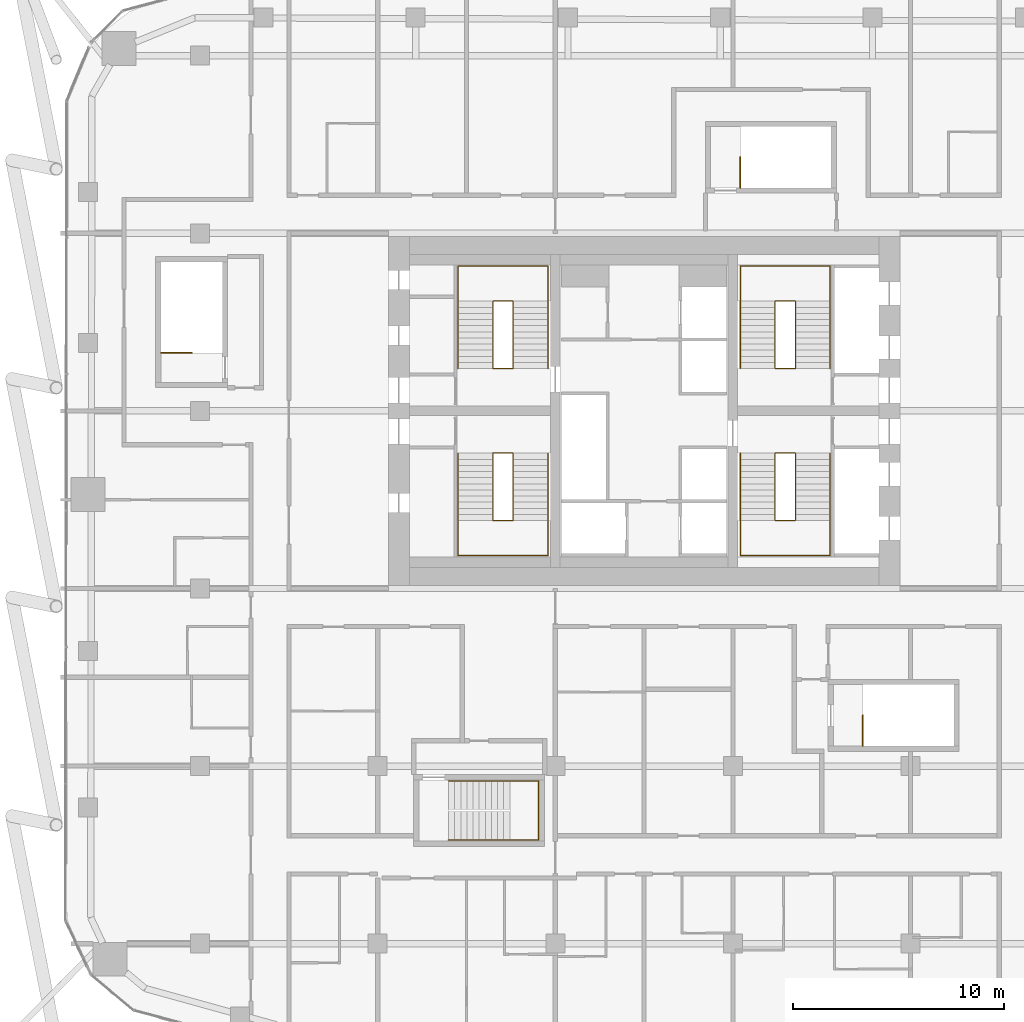
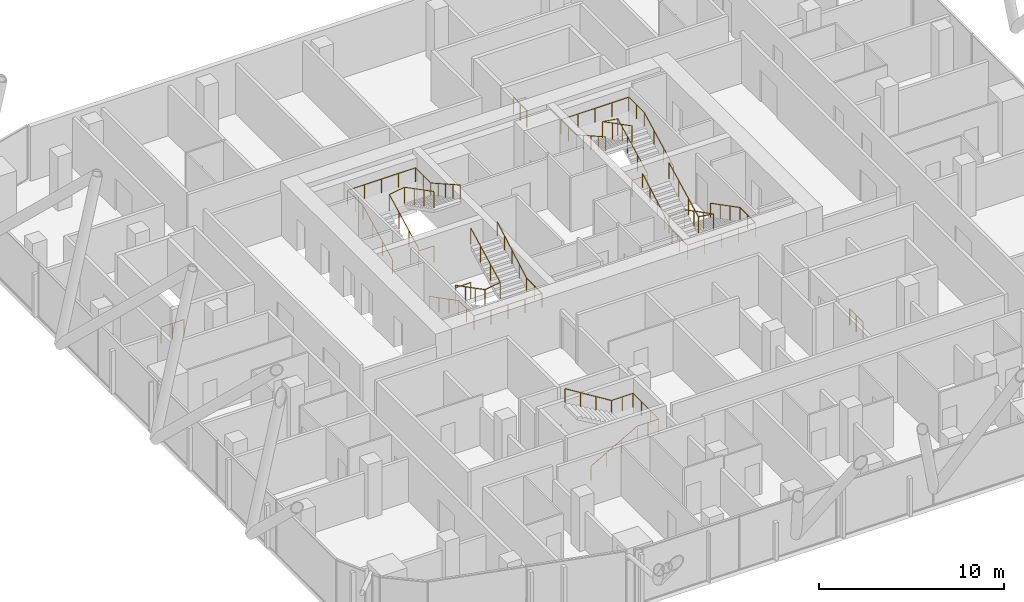
# One storey, part 34 of 34: 12 railings.
"""IFC4 building model written with IfcOpenShell, lengths in metres."""

from ifc_helpers import new_model, si_unit, direction, frame, origin, origin_2d, place, context, subcontext, project, spatial, circle, extrude, material, type_object, element, save


model = new_model("IFC4")

# Units and contexts
model_context = context("Model", 3, precision=1e-05, world=origin(), true_north=direction((0.0, 1.0)))
body_context = subcontext(model_context, "Body", "Model", "MODEL_VIEW")
ifc_project = project(units=[si_unit("LENGTHUNIT", "METRE"), si_unit("AREAUNIT", "SQUARE_METRE"), si_unit("VOLUMEUNIT", "CUBIC_METRE"), si_unit("PLANEANGLEUNIT", "RADIAN"), si_unit("MASSUNIT", "GRAM", prefix="KILO")], contexts=[model_context])

# Site, building, storey
site_placement = place(None, origin())
site = spatial("IfcSite", under=ifc_project, at=site_placement, CompositionType="ELEMENT")
building_placement = place(site_placement, origin())
building = spatial("IfcBuilding", under=site, at=building_placement, Name="Marenta Gate Hotel Tower", CompositionType="ELEMENT")
storey_placement = place(building_placement, frame((0.0, 0.0, 166.10009765625)))
storey = spatial("IfcBuildingStorey", under=building, at=storey_placement, Name="L39", CompositionType="ELEMENT", Elevation=166.10009765625)

# Railings
ifc_material_1 = material(Name="Stainless steel", Category="steel")
railing_type_1 = type_object("IfcRailingType", Name="Core stair handrail 950", PredefinedType="HANDRAIL", material=ifc_material_1)
railing_1_placement = place(storey_placement, frame((-8.800048828125, 6.39990234375, 0.14990234375)))
element("IfcRailing", 1, at=railing_1_placement, inside=storey, type_object=railing_type_1, Name="HR-950 L39-KR-ST1-1", PredefinedType="HANDRAIL", context=body_context, shape_type="SweptSolid", body=[
    extrude(circle(Radius=0.02392578125, at=origin_2d()), frame((0.0, 0.0, 0.92578125), z_axis=(0.0, -0.888225295554, 0.459408123936), x_axis=(1.0, 0.0, 0.0)), (0.0, 0.0, 1.0), 3.59130859375),
    extrude(circle(Radius=0.02392578125, at=origin_2d()), frame((0.0, -3.18994140625, 2.57568359375), z_axis=(0.0, -1.0, 0.0), x_axis=(1.0, 0.0, 0.0)), (0.0, 0.0, 1.0), 1.659912109375),
    extrude(circle(Radius=0.02392578125, at=origin_2d()), frame((0.0, -4.849853515625, 2.57568359375), z_axis=(1.0, 0.0, 0.0), x_axis=(0.0, 1.0, 0.0)), (0.0, 0.0, 1.0), 4.25),
    extrude(circle(Radius=0.02392578125, at=origin_2d()), frame((4.25, -4.849853515625, 2.57568359375), z_axis=(0.0, 1.0, 0.0), x_axis=(-1.0, 0.0, 0.0)), (0.0, 0.0, 1.0), 1.659912109375),
    extrude(circle(Radius=0.02392578125, at=origin_2d()), frame((4.25, -3.18994140625, 2.57568359375), z_axis=(0.0, 0.87090897868, 0.491444351738), x_axis=(-1.0, 0.0, 0.0)), (0.0, 0.0, 1.0), 3.662841796875),
    extrude(circle(Radius=0.02099609375, at=origin_2d()), origin(), (0.0, 0.0, 1.0), 0.90185546875),
    extrude(circle(Radius=0.02099609375, at=origin_2d()), frame((0.0, -1.063232421875, 0.550048828125)), (0.0, 0.0, 1.0), 0.90185546875),
    extrude(circle(Radius=0.02099609375, at=origin_2d()), frame((0.0, -2.126708984375, 1.099853515625)), (0.0, 0.0, 1.0), 0.90185546875),
    extrude(circle(Radius=0.02099609375, at=origin_2d()), frame((0.0, -3.18994140625, 1.64990234375)), (0.0, 0.0, 1.0), 0.90185546875),
    extrude(circle(Radius=0.02099609375, at=origin_2d()), frame((0.0, -4.02001953125, 1.64990234375)), (0.0, 0.0, 1.0), 0.90185546875),
    extrude(circle(Radius=0.02099609375, at=origin_2d()), frame((0.0, -4.849853515625, 1.64990234375)), (0.0, 0.0, 1.0), 0.90185546875),
    extrude(circle(Radius=0.02099609375, at=origin_2d()), frame((1.0625, -4.849853515625, 1.64990234375)), (0.0, 0.0, 1.0), 0.90185546875),
    extrude(circle(Radius=0.02099609375, at=origin_2d()), frame((2.125, -4.849853515625, 1.64990234375)), (0.0, 0.0, 1.0), 0.90185546875),
    extrude(circle(Radius=0.02099609375, at=origin_2d()), frame((3.1875, -4.849853515625, 1.64990234375)), (0.0, 0.0, 1.0), 0.90185546875),
    extrude(circle(Radius=0.02099609375, at=origin_2d()), frame((4.25, -4.849853515625, 1.64990234375)), (0.0, 0.0, 1.0), 0.90185546875),
    extrude(circle(Radius=0.02099609375, at=origin_2d()), frame((4.25, -4.02001953125, 1.64990234375)), (0.0, 0.0, 1.0), 0.90185546875),
    extrude(circle(Radius=0.02099609375, at=origin_2d()), frame((4.25, -3.18994140625, 1.64990234375)), (0.0, 0.0, 1.0), 0.90185546875),
    extrude(circle(Radius=0.02099609375, at=origin_2d()), frame((4.25, -2.392578125, 2.099853515625)), (0.0, 0.0, 1.0), 0.90185546875),
    extrude(circle(Radius=0.02099609375, at=origin_2d()), frame((4.25, -1.594970703125, 2.5498046875)), (0.0, 0.0, 1.0), 0.90185546875),
    extrude(circle(Radius=0.02099609375, at=origin_2d()), frame((4.25, -0.79736328125, 3.0)), (0.0, 0.0, 1.0), 0.90185546875),
    extrude(circle(Radius=0.02099609375, at=origin_2d()), frame((4.25, 0.0, 3.449951171875)), (0.0, 0.0, 1.0), 0.90185546875),
])
railing_2_placement = place(storey_placement, frame((-8.800048828125, 10.39990234375, 0.14990234375)))
element("IfcRailing", 2, at=railing_2_placement, inside=storey, type_object=railing_type_1, Name="HR-950 L39-KR-ST2-1", PredefinedType="HANDRAIL", context=body_context, shape_type="SweptSolid", body=[
    extrude(circle(Radius=0.02392578125, at=origin_2d()), frame((0.0, 0.0, 0.92578125), z_axis=(0.0, 0.888239641807, 0.459380385653), x_axis=(-1.0, 0.0, 0.0)), (0.0, 0.0, 1.0), 3.591552734375),
    extrude(circle(Radius=0.02392578125, at=origin_2d()), frame((0.0, 3.190185546875, 2.57568359375), z_axis=(0.0, 1.0, 0.0), x_axis=(-1.0, 0.0, 0.0)), (0.0, 0.0, 1.0), 1.659912109375),
    extrude(circle(Radius=0.02392578125, at=origin_2d()), frame((0.0, 4.85009765625, 2.57568359375), z_axis=(1.0, 0.0, 0.0), x_axis=(0.0, 1.0, 0.0)), (0.0, 0.0, 1.0), 4.25),
    extrude(circle(Radius=0.02392578125, at=origin_2d()), frame((4.25, 4.85009765625, 2.57568359375), z_axis=(0.0, -1.0, 0.0), x_axis=(1.0, 0.0, 0.0)), (0.0, 0.0, 1.0), 1.659912109375),
    extrude(circle(Radius=0.02392578125, at=origin_2d()), frame((4.25, 3.190185546875, 2.57568359375), z_axis=(0.0, -0.870925075533, 0.491415824742), x_axis=(1.0, 0.0, 0.0)), (0.0, 0.0, 1.0), 3.6630859375),
    extrude(circle(Radius=0.02099609375, at=origin_2d()), origin(), (0.0, 0.0, 1.0), 0.90185546875),
    extrude(circle(Radius=0.02099609375, at=origin_2d()), frame((0.0, 1.0634765625, 0.550048828125)), (0.0, 0.0, 1.0), 0.90185546875),
    extrude(circle(Radius=0.02099609375, at=origin_2d()), frame((0.0, 2.126708984375, 1.099853515625)), (0.0, 0.0, 1.0), 0.90185546875),
    extrude(circle(Radius=0.02099609375, at=origin_2d()), frame((0.0, 3.190185546875, 1.64990234375)), (0.0, 0.0, 1.0), 0.90185546875),
    extrude(circle(Radius=0.02099609375, at=origin_2d()), frame((0.0, 4.02001953125, 1.64990234375)), (0.0, 0.0, 1.0), 0.90185546875),
    extrude(circle(Radius=0.02099609375, at=origin_2d()), frame((0.0, 4.85009765625, 1.64990234375)), (0.0, 0.0, 1.0), 0.90185546875),
    extrude(circle(Radius=0.02099609375, at=origin_2d()), frame((1.0625, 4.85009765625, 1.64990234375)), (0.0, 0.0, 1.0), 0.90185546875),
    extrude(circle(Radius=0.02099609375, at=origin_2d()), frame((2.125, 4.85009765625, 1.64990234375)), (0.0, 0.0, 1.0), 0.90185546875),
    extrude(circle(Radius=0.02099609375, at=origin_2d()), frame((3.1875, 4.85009765625, 1.64990234375)), (0.0, 0.0, 1.0), 0.90185546875),
    extrude(circle(Radius=0.02099609375, at=origin_2d()), frame((4.25, 4.85009765625, 1.64990234375)), (0.0, 0.0, 1.0), 0.90185546875),
    extrude(circle(Radius=0.02099609375, at=origin_2d()), frame((4.25, 4.02001953125, 1.64990234375)), (0.0, 0.0, 1.0), 0.90185546875),
    extrude(circle(Radius=0.02099609375, at=origin_2d()), frame((4.25, 3.190185546875, 1.64990234375)), (0.0, 0.0, 1.0), 0.90185546875),
    extrude(circle(Radius=0.02099609375, at=origin_2d()), frame((4.25, 2.392578125, 2.099853515625)), (0.0, 0.0, 1.0), 0.90185546875),
    extrude(circle(Radius=0.02099609375, at=origin_2d()), frame((4.25, 1.59521484375, 2.5498046875)), (0.0, 0.0, 1.0), 0.90185546875),
    extrude(circle(Radius=0.02099609375, at=origin_2d()), frame((4.25, 0.797607421875, 3.0)), (0.0, 0.0, 1.0), 0.90185546875),
    extrude(circle(Radius=0.02099609375, at=origin_2d()), frame((4.25, 0.0, 3.449951171875)), (0.0, 0.0, 1.0), 0.90185546875),
])
railing_3_placement = place(storey_placement, frame((8.800048828125, 6.39990234375, 0.14990234375)))
element("IfcRailing", 3, at=railing_3_placement, inside=storey, type_object=railing_type_1, Name="HR-950 L39-KR-ST3-1", PredefinedType="HANDRAIL", context=body_context, shape_type="SweptSolid", body=[
    extrude(circle(Radius=0.02392578125, at=origin_2d()), frame((0.0, 0.0, 0.92578125), z_axis=(0.0, -0.888225295554, 0.459408123936), x_axis=(1.0, 0.0, 0.0)), (0.0, 0.0, 1.0), 3.59130859375),
    extrude(circle(Radius=0.02392578125, at=origin_2d()), frame((0.0, -3.18994140625, 2.57568359375), z_axis=(0.0, -1.0, 0.0), x_axis=(1.0, 0.0, 0.0)), (0.0, 0.0, 1.0), 1.659912109375),
    extrude(circle(Radius=0.02392578125, at=origin_2d()), frame((0.0, -4.849853515625, 2.57568359375), z_axis=(-1.0, 0.0, 0.0), x_axis=(0.0, -1.0, 0.0)), (0.0, 0.0, 1.0), 4.25),
    extrude(circle(Radius=0.02392578125, at=origin_2d()), frame((-4.25, -4.849853515625, 2.57568359375), z_axis=(0.0, 1.0, 0.0), x_axis=(-1.0, 0.0, 0.0)), (0.0, 0.0, 1.0), 1.659912109375),
    extrude(circle(Radius=0.02392578125, at=origin_2d()), frame((-4.25, -3.18994140625, 2.57568359375), z_axis=(0.0, 0.87090897868, 0.491444351738), x_axis=(-1.0, 0.0, 0.0)), (0.0, 0.0, 1.0), 3.662841796875),
    extrude(circle(Radius=0.02099609375, at=origin_2d()), origin(), (0.0, 0.0, 1.0), 0.90185546875),
    extrude(circle(Radius=0.02099609375, at=origin_2d()), frame((0.0, -1.063232421875, 0.550048828125)), (0.0, 0.0, 1.0), 0.90185546875),
    extrude(circle(Radius=0.02099609375, at=origin_2d()), frame((0.0, -2.126708984375, 1.099853515625)), (0.0, 0.0, 1.0), 0.90185546875),
    extrude(circle(Radius=0.02099609375, at=origin_2d()), frame((0.0, -3.18994140625, 1.64990234375)), (0.0, 0.0, 1.0), 0.90185546875),
    extrude(circle(Radius=0.02099609375, at=origin_2d()), frame((0.0, -4.02001953125, 1.64990234375)), (0.0, 0.0, 1.0), 0.90185546875),
    extrude(circle(Radius=0.02099609375, at=origin_2d()), frame((0.0, -4.849853515625, 1.64990234375)), (0.0, 0.0, 1.0), 0.90185546875),
    extrude(circle(Radius=0.02099609375, at=origin_2d()), frame((-1.0625, -4.849853515625, 1.64990234375)), (0.0, 0.0, 1.0), 0.90185546875),
    extrude(circle(Radius=0.02099609375, at=origin_2d()), frame((-2.125, -4.849853515625, 1.64990234375)), (0.0, 0.0, 1.0), 0.90185546875),
    extrude(circle(Radius=0.02099609375, at=origin_2d()), frame((-3.1875, -4.849853515625, 1.64990234375)), (0.0, 0.0, 1.0), 0.90185546875),
    extrude(circle(Radius=0.02099609375, at=origin_2d()), frame((-4.25, -4.849853515625, 1.64990234375)), (0.0, 0.0, 1.0), 0.90185546875),
    extrude(circle(Radius=0.02099609375, at=origin_2d()), frame((-4.25, -4.02001953125, 1.64990234375)), (0.0, 0.0, 1.0), 0.90185546875),
    extrude(circle(Radius=0.02099609375, at=origin_2d()), frame((-4.25, -3.18994140625, 1.64990234375)), (0.0, 0.0, 1.0), 0.90185546875),
    extrude(circle(Radius=0.02099609375, at=origin_2d()), frame((-4.25, -2.392578125, 2.099853515625)), (0.0, 0.0, 1.0), 0.90185546875),
    extrude(circle(Radius=0.02099609375, at=origin_2d()), frame((-4.25, -1.594970703125, 2.5498046875)), (0.0, 0.0, 1.0), 0.90185546875),
    extrude(circle(Radius=0.02099609375, at=origin_2d()), frame((-4.25, -0.79736328125, 3.0)), (0.0, 0.0, 1.0), 0.90185546875),
    extrude(circle(Radius=0.02099609375, at=origin_2d()), frame((-4.25, 0.0, 3.449951171875)), (0.0, 0.0, 1.0), 0.90185546875),
])
railing_4_placement = place(storey_placement, frame((8.800048828125, 10.39990234375, 0.14990234375)))
element("IfcRailing", 4, at=railing_4_placement, inside=storey, type_object=railing_type_1, Name="HR-950 L39-KR-ST4-1", PredefinedType="HANDRAIL", context=body_context, shape_type="SweptSolid", body=[
    extrude(circle(Radius=0.02392578125, at=origin_2d()), frame((0.0, 0.0, 0.92578125), z_axis=(0.0, 0.888239641807, 0.459380385653), x_axis=(-1.0, 0.0, 0.0)), (0.0, 0.0, 1.0), 3.591552734375),
    extrude(circle(Radius=0.02392578125, at=origin_2d()), frame((0.0, 3.190185546875, 2.57568359375), z_axis=(0.0, 1.0, 0.0), x_axis=(-1.0, 0.0, 0.0)), (0.0, 0.0, 1.0), 1.659912109375),
    extrude(circle(Radius=0.02392578125, at=origin_2d()), frame((0.0, 4.85009765625, 2.57568359375), z_axis=(-1.0, 0.0, 0.0), x_axis=(0.0, -1.0, 0.0)), (0.0, 0.0, 1.0), 4.25),
    extrude(circle(Radius=0.02392578125, at=origin_2d()), frame((-4.25, 4.85009765625, 2.57568359375), z_axis=(0.0, -1.0, 0.0), x_axis=(1.0, 0.0, 0.0)), (0.0, 0.0, 1.0), 1.659912109375),
    extrude(circle(Radius=0.02392578125, at=origin_2d()), frame((-4.25, 3.190185546875, 2.57568359375), z_axis=(0.0, -0.870925075533, 0.491415824742), x_axis=(1.0, 0.0, 0.0)), (0.0, 0.0, 1.0), 3.6630859375),
    extrude(circle(Radius=0.02099609375, at=origin_2d()), origin(), (0.0, 0.0, 1.0), 0.90185546875),
    extrude(circle(Radius=0.02099609375, at=origin_2d()), frame((0.0, 1.0634765625, 0.550048828125)), (0.0, 0.0, 1.0), 0.90185546875),
    extrude(circle(Radius=0.02099609375, at=origin_2d()), frame((0.0, 2.126708984375, 1.099853515625)), (0.0, 0.0, 1.0), 0.90185546875),
    extrude(circle(Radius=0.02099609375, at=origin_2d()), frame((0.0, 3.190185546875, 1.64990234375)), (0.0, 0.0, 1.0), 0.90185546875),
    extrude(circle(Radius=0.02099609375, at=origin_2d()), frame((0.0, 4.02001953125, 1.64990234375)), (0.0, 0.0, 1.0), 0.90185546875),
    extrude(circle(Radius=0.02099609375, at=origin_2d()), frame((0.0, 4.85009765625, 1.64990234375)), (0.0, 0.0, 1.0), 0.90185546875),
    extrude(circle(Radius=0.02099609375, at=origin_2d()), frame((-1.0625, 4.85009765625, 1.64990234375)), (0.0, 0.0, 1.0), 0.90185546875),
    extrude(circle(Radius=0.02099609375, at=origin_2d()), frame((-2.125, 4.85009765625, 1.64990234375)), (0.0, 0.0, 1.0), 0.90185546875),
    extrude(circle(Radius=0.02099609375, at=origin_2d()), frame((-3.1875, 4.85009765625, 1.64990234375)), (0.0, 0.0, 1.0), 0.90185546875),
    extrude(circle(Radius=0.02099609375, at=origin_2d()), frame((-4.25, 4.85009765625, 1.64990234375)), (0.0, 0.0, 1.0), 0.90185546875),
    extrude(circle(Radius=0.02099609375, at=origin_2d()), frame((-4.25, 4.02001953125, 1.64990234375)), (0.0, 0.0, 1.0), 0.90185546875),
    extrude(circle(Radius=0.02099609375, at=origin_2d()), frame((-4.25, 3.190185546875, 1.64990234375)), (0.0, 0.0, 1.0), 0.90185546875),
    extrude(circle(Radius=0.02099609375, at=origin_2d()), frame((-4.25, 2.392578125, 2.099853515625)), (0.0, 0.0, 1.0), 0.90185546875),
    extrude(circle(Radius=0.02099609375, at=origin_2d()), frame((-4.25, 1.59521484375, 2.5498046875)), (0.0, 0.0, 1.0), 0.90185546875),
    extrude(circle(Radius=0.02099609375, at=origin_2d()), frame((-4.25, 0.797607421875, 3.0)), (0.0, 0.0, 1.0), 0.90185546875),
    extrude(circle(Radius=0.02099609375, at=origin_2d()), frame((-4.25, 0.0, 3.449951171875)), (0.0, 0.0, 1.0), 0.90185546875),
])
railing_5_placement = place(storey_placement, frame((-9.25, -11.89990234375, 0.16357421875)))
element("IfcRailing", 5, at=railing_5_placement, inside=storey, type_object=railing_type_1, Name="HR-950 L39-RS-Z2-1-KR-1", PredefinedType="HANDRAIL", context=body_context, shape_type="SweptSolid", body=[
    extrude(circle(Radius=0.02392578125, at=origin_2d()), frame((0.0, 0.0, 0.92578125), z_axis=(0.870928581787, 0.0, 0.491409610636), x_axis=(0.0, 1.0, 0.0)), (0.0, 0.0, 1.0), 3.32958984375),
    extrude(circle(Radius=0.02392578125, at=origin_2d()), frame((2.89990234375, 0.0, 2.56201171875), z_axis=(1.0, 0.0, 0.0), x_axis=(0.0, 1.0, 0.0)), (0.0, 0.0, 1.0), 1.35009765625),
    extrude(circle(Radius=0.02392578125, at=origin_2d()), frame((4.25, 0.0, 2.56201171875), z_axis=(0.0, 1.0, 0.0), x_axis=(-1.0, 0.0, 0.0)), (0.0, 0.0, 1.0), 2.7998046875),
    extrude(circle(Radius=0.02392578125, at=origin_2d()), frame((4.25, 2.7998046875, 2.56201171875), z_axis=(-1.0, 0.0, 0.0), x_axis=(0.0, -1.0, 0.0)), (0.0, 0.0, 1.0), 1.35009765625),
    extrude(circle(Radius=0.02392578125, at=origin_2d()), frame((2.89990234375, 2.7998046875, 2.56201171875), z_axis=(-0.849625798611, 0.0, 0.527386008853), x_axis=(0.0, -1.0, 0.0)), (0.0, 0.0, 1.0), 3.4130859375),
    extrude(circle(Radius=0.02099609375, at=origin_2d()), origin(), (0.0, 0.0, 1.0), 0.90185546875),
    extrude(circle(Radius=0.02099609375, at=origin_2d()), frame((0.966552734375, 0.0, 0.54541015625)), (0.0, 0.0, 1.0), 0.90185546875),
    extrude(circle(Radius=0.02099609375, at=origin_2d()), frame((1.933349609375, 0.0, 1.0908203125)), (0.0, 0.0, 1.0), 0.90185546875),
    extrude(circle(Radius=0.02099609375, at=origin_2d()), frame((2.89990234375, 0.0, 1.63623046875)), (0.0, 0.0, 1.0), 0.90185546875),
    extrude(circle(Radius=0.02099609375, at=origin_2d()), frame((3.574951171875, 0.0, 1.63623046875)), (0.0, 0.0, 1.0), 0.90185546875),
    extrude(circle(Radius=0.02099609375, at=origin_2d()), frame((4.25, 0.0, 1.63623046875)), (0.0, 0.0, 1.0), 0.90185546875),
    extrude(circle(Radius=0.02099609375, at=origin_2d()), frame((4.25, 0.933349609375, 1.63623046875)), (0.0, 0.0, 1.0), 0.90185546875),
    extrude(circle(Radius=0.02099609375, at=origin_2d()), frame((4.25, 1.866455078125, 1.63623046875)), (0.0, 0.0, 1.0), 0.90185546875),
    extrude(circle(Radius=0.02099609375, at=origin_2d()), frame((4.25, 2.7998046875, 1.63623046875)), (0.0, 0.0, 1.0), 0.90185546875),
    extrude(circle(Radius=0.02099609375, at=origin_2d()), frame((3.574951171875, 2.7998046875, 1.63623046875)), (0.0, 0.0, 1.0), 0.90185546875),
    extrude(circle(Radius=0.02099609375, at=origin_2d()), frame((2.89990234375, 2.7998046875, 1.63623046875)), (0.0, 0.0, 1.0), 0.90185546875),
    extrude(circle(Radius=0.02099609375, at=origin_2d()), frame((1.933349609375, 2.7998046875, 2.236328125)), (0.0, 0.0, 1.0), 0.90185546875),
    extrude(circle(Radius=0.02099609375, at=origin_2d()), frame((0.966552734375, 2.7998046875, 2.836181640625)), (0.0, 0.0, 1.0), 0.90185546875),
    extrude(circle(Radius=0.02099609375, at=origin_2d()), frame((0.0, 2.7998046875, 3.436279296875)), (0.0, 0.0, 1.0), 0.90185546875),
])
ifc_material_2 = material(Name="Stainless steel", Category="steel")
railing_type_2 = type_object("IfcRailingType", Name="Core stair well guard 1100", PredefinedType="GUARDRAIL", material=ifc_material_2)
railing_6_placement = place(storey_placement, frame((-6.199951171875, 6.39990234375, 0.0)))
element("IfcRailing", 6, at=railing_6_placement, inside=storey, type_object=railing_type_2, Name="GR-1100 L39-KR-ST1-2", PredefinedType="GUARDRAIL", context=body_context, shape_type="SweptSolid", body=[
    extrude(circle(Radius=0.02392578125, at=origin_2d()), frame((0.0, 0.0, 1.076171875), z_axis=(-1.0, 0.0, 0.0), x_axis=(0.0, -1.0, 0.0)), (0.0, 0.0, 1.0), 0.949951171875),
    extrude(circle(Radius=0.02392578125, at=origin_2d()), frame((-0.949951171875, 0.0, 1.076171875), z_axis=(0.0, 0.0, 1.0), x_axis=(1.0, 0.0, 0.0)), (0.0, 0.0, 1.0), 0.14990234375),
    extrude(circle(Radius=0.02392578125, at=origin_2d()), frame((-0.949951171875, 0.0, 1.22607421875), z_axis=(0.0, -0.888225295554, 0.459408123936), x_axis=(1.0, 0.0, 0.0)), (0.0, 0.0, 1.0), 3.59130859375),
    extrude(circle(Radius=0.02392578125, at=origin_2d()), frame((-0.949951171875, -3.18994140625, 2.8759765625), z_axis=(0.987738253826, 0.0, 0.156118999255), x_axis=(0.0, 1.0, 0.0)), (0.0, 0.0, 1.0), 0.961669921875),
    extrude(circle(Radius=0.02392578125, at=origin_2d()), frame((0.0, -3.18994140625, 3.02587890625), z_axis=(0.0, 0.888225295554, 0.459408123936), x_axis=(-1.0, 0.0, 0.0)), (0.0, 0.0, 1.0), 3.59130859375),
    extrude(circle(Radius=0.02099609375, at=origin_2d()), origin(), (0.0, 0.0, 1.0), 1.052001953125),
    extrude(circle(Radius=0.02099609375, at=origin_2d()), frame((-0.949951171875, 0.0, 0.0)), (0.0, 0.0, 1.0), 1.052001953125),
    extrude(circle(Radius=0.02099609375, at=origin_2d()), frame((-0.949951171875, 0.0, 0.14990234375)), (0.0, 0.0, 1.0), 1.052001953125),
    extrude(circle(Radius=0.02099609375, at=origin_2d()), frame((-0.949951171875, -1.063232421875, 0.699951171875)), (0.0, 0.0, 1.0), 1.052001953125),
    extrude(circle(Radius=0.02099609375, at=origin_2d()), frame((-0.949951171875, -2.126708984375, 1.249755859375)), (0.0, 0.0, 1.0), 1.052001953125),
    extrude(circle(Radius=0.02099609375, at=origin_2d()), frame((-0.949951171875, -3.18994140625, 1.7998046875)), (0.0, 0.0, 1.0), 1.052001953125),
    extrude(circle(Radius=0.02099609375, at=origin_2d()), frame((0.0, -3.18994140625, 1.949951171875)), (0.0, 0.0, 1.0), 1.052001953125),
    extrude(circle(Radius=0.02099609375, at=origin_2d()), frame((0.0, -2.126708984375, 2.5)), (0.0, 0.0, 1.0), 1.052001953125),
    extrude(circle(Radius=0.02099609375, at=origin_2d()), frame((0.0, -1.063232421875, 3.0498046875)), (0.0, 0.0, 1.0), 1.052001953125),
    extrude(circle(Radius=0.02099609375, at=origin_2d()), frame((0.0, 0.0, 3.599853515625)), (0.0, 0.0, 1.0), 1.052001953125),
])
railing_7_placement = place(storey_placement, frame((-6.199951171875, 10.39990234375, 0.0)))
element("IfcRailing", 7, at=railing_7_placement, inside=storey, type_object=railing_type_2, Name="GR-1100 L39-KR-ST2-2", PredefinedType="GUARDRAIL", context=body_context, shape_type="SweptSolid", body=[
    extrude(circle(Radius=0.02392578125, at=origin_2d()), frame((0.0, 0.0, 1.076171875), z_axis=(-1.0, 0.0, 0.0), x_axis=(0.0, -1.0, 0.0)), (0.0, 0.0, 1.0), 0.949951171875),
    extrude(circle(Radius=0.02392578125, at=origin_2d()), frame((-0.949951171875, 0.0, 1.076171875), z_axis=(0.0, 0.0, 1.0), x_axis=(1.0, 0.0, 0.0)), (0.0, 0.0, 1.0), 0.14990234375),
    extrude(circle(Radius=0.02392578125, at=origin_2d()), frame((-0.949951171875, 0.0, 1.22607421875), z_axis=(0.0, 0.888239641807, 0.459380385653), x_axis=(-1.0, 0.0, 0.0)), (0.0, 0.0, 1.0), 3.591552734375),
    extrude(circle(Radius=0.02392578125, at=origin_2d()), frame((-0.949951171875, 3.190185546875, 2.8759765625), z_axis=(0.987738253826, 0.0, 0.156118999255), x_axis=(0.0, 1.0, 0.0)), (0.0, 0.0, 1.0), 0.961669921875),
    extrude(circle(Radius=0.02392578125, at=origin_2d()), frame((0.0, 3.190185546875, 3.02587890625), z_axis=(0.0, -0.888239641807, 0.459380385653), x_axis=(1.0, 0.0, 0.0)), (0.0, 0.0, 1.0), 3.591552734375),
    extrude(circle(Radius=0.02099609375, at=origin_2d()), origin(), (0.0, 0.0, 1.0), 1.052001953125),
    extrude(circle(Radius=0.02099609375, at=origin_2d()), frame((-0.949951171875, 0.0, 0.0)), (0.0, 0.0, 1.0), 1.052001953125),
    extrude(circle(Radius=0.02099609375, at=origin_2d()), frame((-0.949951171875, 0.0, 0.14990234375)), (0.0, 0.0, 1.0), 1.052001953125),
    extrude(circle(Radius=0.02099609375, at=origin_2d()), frame((-0.949951171875, 1.0634765625, 0.699951171875)), (0.0, 0.0, 1.0), 1.052001953125),
    extrude(circle(Radius=0.02099609375, at=origin_2d()), frame((-0.949951171875, 2.126708984375, 1.249755859375)), (0.0, 0.0, 1.0), 1.052001953125),
    extrude(circle(Radius=0.02099609375, at=origin_2d()), frame((-0.949951171875, 3.190185546875, 1.7998046875)), (0.0, 0.0, 1.0), 1.052001953125),
    extrude(circle(Radius=0.02099609375, at=origin_2d()), frame((0.0, 3.190185546875, 1.949951171875)), (0.0, 0.0, 1.0), 1.052001953125),
    extrude(circle(Radius=0.02099609375, at=origin_2d()), frame((0.0, 2.126708984375, 2.5)), (0.0, 0.0, 1.0), 1.052001953125),
    extrude(circle(Radius=0.02099609375, at=origin_2d()), frame((0.0, 1.0634765625, 3.0498046875)), (0.0, 0.0, 1.0), 1.052001953125),
    extrude(circle(Radius=0.02099609375, at=origin_2d()), frame((0.0, 0.0, 3.599853515625)), (0.0, 0.0, 1.0), 1.052001953125),
])
railing_8_placement = place(storey_placement, frame((6.199951171875, 6.39990234375, 0.0)))
element("IfcRailing", 8, at=railing_8_placement, inside=storey, type_object=railing_type_2, Name="GR-1100 L39-KR-ST3-2", PredefinedType="GUARDRAIL", context=body_context, shape_type="SweptSolid", body=[
    extrude(circle(Radius=0.02392578125, at=origin_2d()), frame((0.0, 0.0, 1.076171875), z_axis=(1.0, 0.0, 0.0), x_axis=(0.0, 1.0, 0.0)), (0.0, 0.0, 1.0), 0.949951171875),
    extrude(circle(Radius=0.02392578125, at=origin_2d()), frame((0.949951171875, 0.0, 1.076171875), z_axis=(0.0, 0.0, 1.0), x_axis=(1.0, 0.0, 0.0)), (0.0, 0.0, 1.0), 0.14990234375),
    extrude(circle(Radius=0.02392578125, at=origin_2d()), frame((0.949951171875, 0.0, 1.22607421875), z_axis=(0.0, -0.888225295554, 0.459408123936), x_axis=(1.0, 0.0, 0.0)), (0.0, 0.0, 1.0), 3.59130859375),
    extrude(circle(Radius=0.02392578125, at=origin_2d()), frame((0.949951171875, -3.18994140625, 2.8759765625), z_axis=(-0.987738253826, 0.0, 0.156118999255), x_axis=(0.0, -1.0, 0.0)), (0.0, 0.0, 1.0), 0.961669921875),
    extrude(circle(Radius=0.02392578125, at=origin_2d()), frame((0.0, -3.18994140625, 3.02587890625), z_axis=(0.0, 0.888225295554, 0.459408123936), x_axis=(-1.0, 0.0, 0.0)), (0.0, 0.0, 1.0), 3.59130859375),
    extrude(circle(Radius=0.02099609375, at=origin_2d()), origin(), (0.0, 0.0, 1.0), 1.052001953125),
    extrude(circle(Radius=0.02099609375, at=origin_2d()), frame((0.949951171875, 0.0, 0.0)), (0.0, 0.0, 1.0), 1.052001953125),
    extrude(circle(Radius=0.02099609375, at=origin_2d()), frame((0.949951171875, 0.0, 0.14990234375)), (0.0, 0.0, 1.0), 1.052001953125),
    extrude(circle(Radius=0.02099609375, at=origin_2d()), frame((0.949951171875, -1.063232421875, 0.699951171875)), (0.0, 0.0, 1.0), 1.052001953125),
    extrude(circle(Radius=0.02099609375, at=origin_2d()), frame((0.949951171875, -2.126708984375, 1.249755859375)), (0.0, 0.0, 1.0), 1.052001953125),
    extrude(circle(Radius=0.02099609375, at=origin_2d()), frame((0.949951171875, -3.18994140625, 1.7998046875)), (0.0, 0.0, 1.0), 1.052001953125),
    extrude(circle(Radius=0.02099609375, at=origin_2d()), frame((0.0, -3.18994140625, 1.949951171875)), (0.0, 0.0, 1.0), 1.052001953125),
    extrude(circle(Radius=0.02099609375, at=origin_2d()), frame((0.0, -2.126708984375, 2.5)), (0.0, 0.0, 1.0), 1.052001953125),
    extrude(circle(Radius=0.02099609375, at=origin_2d()), frame((0.0, -1.063232421875, 3.0498046875)), (0.0, 0.0, 1.0), 1.052001953125),
    extrude(circle(Radius=0.02099609375, at=origin_2d()), frame((0.0, 0.0, 3.599853515625)), (0.0, 0.0, 1.0), 1.052001953125),
])
railing_9_placement = place(storey_placement, frame((6.199951171875, 10.39990234375, 0.0)))
element("IfcRailing", 9, at=railing_9_placement, inside=storey, type_object=railing_type_2, Name="GR-1100 L39-KR-ST4-2", PredefinedType="GUARDRAIL", context=body_context, shape_type="SweptSolid", body=[
    extrude(circle(Radius=0.02392578125, at=origin_2d()), frame((0.0, 0.0, 1.076171875), z_axis=(1.0, 0.0, 0.0), x_axis=(0.0, 1.0, 0.0)), (0.0, 0.0, 1.0), 0.949951171875),
    extrude(circle(Radius=0.02392578125, at=origin_2d()), frame((0.949951171875, 0.0, 1.076171875), z_axis=(0.0, 0.0, 1.0), x_axis=(1.0, 0.0, 0.0)), (0.0, 0.0, 1.0), 0.14990234375),
    extrude(circle(Radius=0.02392578125, at=origin_2d()), frame((0.949951171875, 0.0, 1.22607421875), z_axis=(0.0, 0.888239641807, 0.459380385653), x_axis=(-1.0, 0.0, 0.0)), (0.0, 0.0, 1.0), 3.591552734375),
    extrude(circle(Radius=0.02392578125, at=origin_2d()), frame((0.949951171875, 3.190185546875, 2.8759765625), z_axis=(-0.987738253826, 0.0, 0.156118999255), x_axis=(0.0, -1.0, 0.0)), (0.0, 0.0, 1.0), 0.961669921875),
    extrude(circle(Radius=0.02392578125, at=origin_2d()), frame((0.0, 3.190185546875, 3.02587890625), z_axis=(0.0, -0.888239641807, 0.459380385653), x_axis=(1.0, 0.0, 0.0)), (0.0, 0.0, 1.0), 3.591552734375),
    extrude(circle(Radius=0.02099609375, at=origin_2d()), origin(), (0.0, 0.0, 1.0), 1.052001953125),
    extrude(circle(Radius=0.02099609375, at=origin_2d()), frame((0.949951171875, 0.0, 0.0)), (0.0, 0.0, 1.0), 1.052001953125),
    extrude(circle(Radius=0.02099609375, at=origin_2d()), frame((0.949951171875, 0.0, 0.14990234375)), (0.0, 0.0, 1.0), 1.052001953125),
    extrude(circle(Radius=0.02099609375, at=origin_2d()), frame((0.949951171875, 1.0634765625, 0.699951171875)), (0.0, 0.0, 1.0), 1.052001953125),
    extrude(circle(Radius=0.02099609375, at=origin_2d()), frame((0.949951171875, 2.126708984375, 1.249755859375)), (0.0, 0.0, 1.0), 1.052001953125),
    extrude(circle(Radius=0.02099609375, at=origin_2d()), frame((0.949951171875, 3.190185546875, 1.7998046875)), (0.0, 0.0, 1.0), 1.052001953125),
    extrude(circle(Radius=0.02099609375, at=origin_2d()), frame((0.0, 3.190185546875, 1.949951171875)), (0.0, 0.0, 1.0), 1.052001953125),
    extrude(circle(Radius=0.02099609375, at=origin_2d()), frame((0.0, 2.126708984375, 2.5)), (0.0, 0.0, 1.0), 1.052001953125),
    extrude(circle(Radius=0.02099609375, at=origin_2d()), frame((0.0, 1.0634765625, 3.0498046875)), (0.0, 0.0, 1.0), 1.052001953125),
    extrude(circle(Radius=0.02099609375, at=origin_2d()), frame((0.0, 0.0, 3.599853515625)), (0.0, 0.0, 1.0), 1.052001953125),
])
railing_10_placement = place(storey_placement, frame((-22.85009765625, 11.14990234375, 0.0)))
element("IfcRailing", 10, at=railing_10_placement, inside=storey, type_object=railing_type_2, Name="GR-1100 L39-RS-Z1-3-KR-1", PredefinedType="GUARDRAIL", context=body_context, shape_type="SweptSolid", body=[
    extrude(circle(Radius=0.02392578125, at=origin_2d()), frame((0.0, 0.0, 1.076171875), z_axis=(1.0, 0.0, 0.0), x_axis=(0.0, 1.0, 0.0)), (0.0, 0.0, 1.0), 1.4501953125),
    extrude(circle(Radius=0.02099609375, at=origin_2d()), origin(), (0.0, 0.0, 1.0), 1.052001953125),
    extrude(circle(Radius=0.02099609375, at=origin_2d()), frame((0.72509765625, 0.0, 0.0)), (0.0, 0.0, 1.0), 1.052001953125),
    extrude(circle(Radius=0.02099609375, at=origin_2d()), frame((1.4501953125, 0.0, 0.0)), (0.0, 0.0, 1.0), 1.052001953125),
])
for number, where, name in (
    (11, (10.35009765625, -7.449951171875, 0.0), "GR-1100 L39-RS-Z2-2-KR-1"),
    (12, (4.550048828125, 18.949951171875, 0.0), "GR-1100 L39-RS-Z2-4-KR-1"),
):
    element("IfcRailing", number, at=place(storey_placement, frame(where)), inside=storey, type_object=railing_type_2, Name=name, PredefinedType="GUARDRAIL", context=body_context, shape_type="SweptSolid", body=[
        extrude(circle(Radius=0.02392578125, at=origin_2d()), frame((0.0, 0.0, 1.076171875), z_axis=(0.0, 1.0, 0.0), x_axis=(-1.0, 0.0, 0.0)), (0.0, 0.0, 1.0), 1.449951171875),
        extrude(circle(Radius=0.02099609375, at=origin_2d()), origin(), (0.0, 0.0, 1.0), 1.052001953125),
        extrude(circle(Radius=0.02099609375, at=origin_2d()), frame((0.0, 0.72509765625, 0.0)), (0.0, 0.0, 1.0), 1.052001953125),
        extrude(circle(Radius=0.02099609375, at=origin_2d()), frame((0.0, 1.449951171875, 0.0)), (0.0, 0.0, 1.0), 1.052001953125),
    ])

save(model, "model.ifc")
